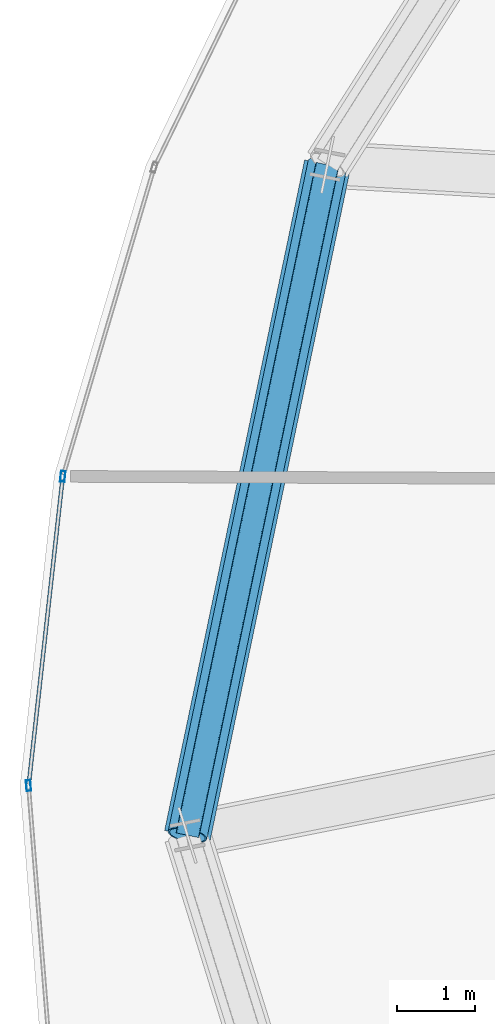
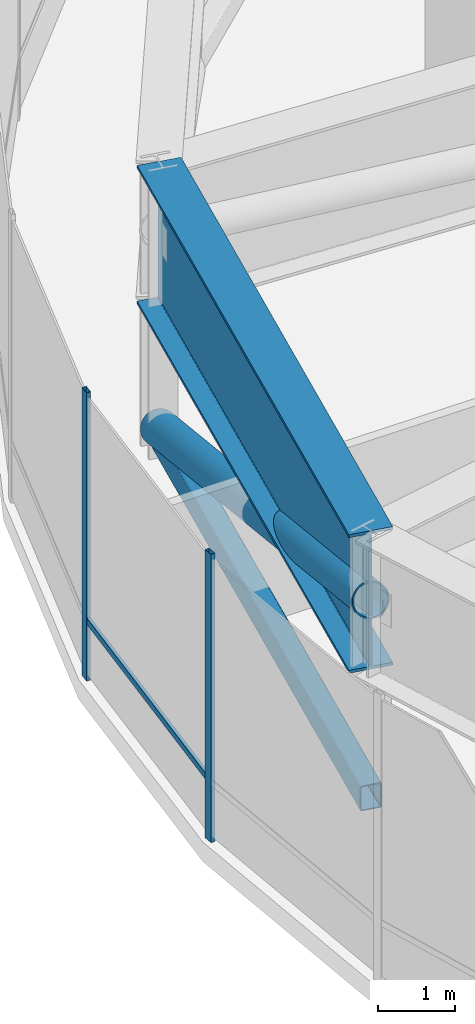
# One storey, part 9 of 30: 5 members, 1 beam, 1 element without a shape of its own.
"""IFC4 building model written with IfcOpenShell, lengths in metres."""

import ifcopenshell
import ifcopenshell.guid

model = None  # the IFC model being written
_history = None  # IfcOwnerHistory: only IFC2X3 demands one
_inside = {}  # id of a spatial element -> (the spatial element, [elements in it])
_under = {}  # id of a project, library or spatial element -> (it, [spatial elements below it])
_declared = {}  # id of a project -> (the project, [libraries it declares])
_typed = {}  # id of a type object -> (the type object, [elements of that type])
_made_of = {}  # id of a material, layer set ... -> (it, [elements and type objects made of it])


def new_model(schema):
    """Start an empty IFC model of exactly this schema.

    Asked for "IFC4X3", IfcOpenShell would pick the latest addendum, in which some entities
    have other attributes; the version numbers below select the first issue.
    IFC2X3 requires an IfcOwnerHistory on every rooted entity: one is made here for all.
    """
    global model, _history
    if schema == "IFC4X3":
        model = ifcopenshell.file(schema_version=(4, 3, 0, 0))
    else:
        model = ifcopenshell.file(schema=schema)
    _inside.clear()
    _under.clear()
    _declared.clear()
    _typed.clear()
    _made_of.clear()
    _history = None
    if model.schema == "IFC2X3":
        org = make("IfcOrganization", Name="unknown")
        user = make(
            "IfcPersonAndOrganization",
            ThePerson=make("IfcPerson", FamilyName="unknown"),
            TheOrganization=org,
        )
        app = make(
            "IfcApplication",
            ApplicationDeveloper=org,
            Version="unknown",
            ApplicationFullName="unknown",
            ApplicationIdentifier="unknown",
        )
        _history = make(
            "IfcOwnerHistory",
            OwningUser=user,
            OwningApplication=app,
            ChangeAction="ADDED",
            CreationDate=0,
        )
    return model


def make(cls, **values):
    """One entity of the class cls with the attributes given. An attribute that is None is left unset."""
    return model.create_entity(
        cls, **{name: value for name, value in values.items() if value is not None}
    )


def rooted(cls, **values):
    """An entity with a GlobalId (a new one), such as an element, a storey or a relation."""
    return make(cls, GlobalId=ifcopenshell.guid.new(), OwnerHistory=_history, **values)


def si_unit(unit_type, name, prefix=None):
    """IfcSIUnit, for example si_unit("LENGTHUNIT", "METRE", prefix="MILLI")."""
    return make("IfcSIUnit", UnitType=unit_type, Prefix=prefix, Name=name)


def assignment(units):
    """IfcUnitAssignment: the units of a project."""
    return None if units is None else make("IfcUnitAssignment", Units=units)


def point(xyz):
    """IfcCartesianPoint."""
    return None if xyz is None else make("IfcCartesianPoint", Coordinates=xyz)


def direction(xyz):
    """IfcDirection."""
    return None if xyz is None else make("IfcDirection", DirectionRatios=xyz)


def frame(location, z_axis=None, x_axis=None):
    """IfcAxis2Placement3D, a coordinate frame: its origin and axes. An axis left out is left unset."""
    return make(
        "IfcAxis2Placement3D",
        Location=point(location),
        Axis=direction(z_axis),
        RefDirection=direction(x_axis),
    )


def frame_2d(location, x_axis=None):
    """IfcAxis2Placement2D, a coordinate frame in the plane: its origin and x axis."""
    return make(
        "IfcAxis2Placement2D", Location=point(location), RefDirection=direction(x_axis)
    )


def origin():
    """The frame at (0, 0, 0) with its axes left unset."""
    return frame((0.0, 0.0, 0.0))


def origin_2d():
    """The frame at (0, 0) in the plane with its x axis left unset."""
    return frame_2d((0.0, 0.0))


def place(relative_to, where):
    """IfcLocalPlacement: puts the frame where relative to a parent placement (None: the world)."""
    return make(
        "IfcLocalPlacement", PlacementRelTo=relative_to, RelativePlacement=where
    )


def context(
    kind, dimensions, precision=None, world=None, true_north=None, identifier=None
):
    """IfcGeometricRepresentationContext, for example the 3D "Model" context."""
    return make(
        "IfcGeometricRepresentationContext",
        ContextIdentifier=identifier,
        ContextType=kind,
        CoordinateSpaceDimension=dimensions,
        Precision=precision,
        WorldCoordinateSystem=world,
        TrueNorth=true_north,
    )


def subcontext(parent, identifier, kind, view, scale=None):
    """IfcGeometricRepresentationSubContext, for example "Body" below "Model"."""
    return make(
        "IfcGeometricRepresentationSubContext",
        ContextIdentifier=identifier,
        ContextType=kind,
        ParentContext=parent,
        TargetScale=scale,
        TargetView=view,
    )


def project(units=None, contexts=None):
    """IfcProject with its units and contexts."""
    return rooted(
        "IfcProject",
        Name="project",
        RepresentationContexts=contexts,
        UnitsInContext=assignment(units),
    )


def spatial(cls, under=None, at=None, **own):
    """A site, building, storey or space (cls), placed at a placement, below another one or the project."""
    s = rooted(cls, ObjectPlacement=at, **own)
    if under is not None:
        _under.setdefault(under.id(), (under, []))[1].append(s)
    return s


def profile(cls, at=None, kind="AREA", **sizes):
    """A parametric profile (cls). Its sizes go by their IFC names, for example OverallWidth=200.0."""
    return make(cls, ProfileType=kind, Position=at, **sizes)


def hollow_rectangle(**sizes):
    """IfcRectangleHollowProfileDef."""
    return profile("IfcRectangleHollowProfileDef", **sizes)


def hollow_circle(**sizes):
    """IfcCircleHollowProfileDef."""
    return profile("IfcCircleHollowProfileDef", **sizes)


def i_section(**sizes):
    """IfcIShapeProfileDef."""
    return profile("IfcIShapeProfileDef", **sizes)


def extrude(swept, where, along, depth):
    """IfcExtrudedAreaSolid: the profile swept, set in the frame where, extruded along a direction by depth."""
    return make(
        "IfcExtrudedAreaSolid",
        SweptArea=swept,
        Position=where,
        ExtrudedDirection=direction(along),
        Depth=depth,
    )


def shape(context_of_items, identifier, shape_type, items):
    """IfcShapeRepresentation: the items that make up one representation, for example the "Body"."""
    return make(
        "IfcShapeRepresentation",
        ContextOfItems=context_of_items,
        RepresentationIdentifier=identifier,
        RepresentationType=shape_type,
        Items=items,
    )


def source(mapping_origin, context_of_items, identifier, shape_type, items):
    """IfcRepresentationMap: a shape defined once, which mapped items show again and again."""
    return make(
        "IfcRepresentationMap",
        MappingOrigin=mapping_origin,
        MappedRepresentation=shape(context_of_items, identifier, shape_type, items),
    )


def transform(
    local_origin,
    x_axis=None,
    y_axis=None,
    z_axis=None,
    scale=None,
    scale2=None,
    scale3=None,
    uniform=True,
):
    """IfcCartesianTransformationOperator3D, or its non-uniform kind. x_axis, y_axis, z_axis: its Axis1, 2, 3."""
    if uniform:
        return make(
            "IfcCartesianTransformationOperator3D",
            Axis1=direction(x_axis),
            Axis2=direction(y_axis),
            LocalOrigin=point(local_origin),
            Scale=scale,
            Axis3=direction(z_axis),
        )
    return make(
        "IfcCartesianTransformationOperator3DnonUniform",
        Axis1=direction(x_axis),
        Axis2=direction(y_axis),
        LocalOrigin=point(local_origin),
        Scale=scale,
        Axis3=direction(z_axis),
        Scale2=scale2,
        Scale3=scale3,
    )


def mapped(mapping_source, mapping_target):
    """IfcMappedItem: shows the shape of a source again, moved by a transform."""
    return make(
        "IfcMappedItem", MappingSource=mapping_source, MappingTarget=mapping_target
    )


def material(Name=None, Category=None):
    """IfcMaterial."""
    return make("IfcMaterial", Name=Name, Category=Category)


def layer(
    of_material, thickness, ventilated=None, Name=None, Category=None, Priority=None
):
    """IfcMaterialLayer: one layer of a wall or slab, of a material (None: an air gap)."""
    return make(
        "IfcMaterialLayer",
        Material=of_material,
        LayerThickness=thickness,
        IsVentilated=ventilated,
        Name=Name,
        Category=Category,
        Priority=Priority,
    )


def layer_set(layers, Name=None):
    """IfcMaterialLayerSet."""
    return make("IfcMaterialLayerSet", MaterialLayers=layers, LayerSetName=Name)


def material_profile(
    of_material, cross_section, Name=None, Category=None, Priority=None
):
    """IfcMaterialProfile: a cross section and its material."""
    return make(
        "IfcMaterialProfile",
        Name=Name,
        Material=of_material,
        Profile=cross_section,
        Priority=Priority,
        Category=Category,
    )


def profile_set(profiles, Name=None, composite=None):
    """IfcMaterialProfileSet."""
    return make(
        "IfcMaterialProfileSet",
        Name=Name,
        MaterialProfiles=profiles,
        CompositeProfile=composite,
    )


def made_of(thing, what):
    """Note that an element or type object is made of a material, layer set ...; save() writes the relation."""
    if what is not None:
        _made_of.setdefault(what.id(), (what, []))[1].append(thing)
    return thing


def type_object(cls, material=None, **own):
    """A type object (cls), such as IfcWallType, which elements share."""
    return made_of(rooted(cls, **own), material)


def element(
    cls,
    number,
    at=None,
    inside=None,
    cuts=None,
    type_object=None,
    material=None,
    context=None,
    identifier="Body",
    shape_type=None,
    held_by="IfcProductDefinitionShape",
    body=None,
    shapes=None,
    **own,
):
    """One element of the class cls, such as IfcWall. Its Tag is "e" and its number.

    at: its placement. inside: the storey or other place that contains it. cuts: it is an
    opening in that element (IfcRelVoidsElement). A single representation is given by context,
    identifier, shape_type and body (its items); several are given by shapes. held_by: the class
    of the entity that holds the representations. save() writes the other relations.
    """
    e = rooted(cls, Tag="e%d" % number, ObjectPlacement=at, **own)
    if body is not None:
        shapes = [shape(context, identifier, shape_type, body)]
    if shapes is not None:
        e.Representation = make(held_by, Representations=shapes)
    if inside is not None:
        _inside.setdefault(inside.id(), (inside, []))[1].append(e)
    if cuts is not None:
        rooted(
            "IfcRelVoidsElement", RelatingBuildingElement=cuts, RelatedOpeningElement=e
        )
    if type_object is not None:
        _typed.setdefault(type_object.id(), (type_object, []))[1].append(e)
    return made_of(e, material)


def aggregate(whole, parts):
    """IfcRelAggregates: a whole, such as a stair, and the parts it consists of."""
    return rooted("IfcRelAggregates", RelatingObject=whole, RelatedObjects=parts)


def save(model, path):
    """Write the relations noted so far, then the file.

    IfcRelAggregates (storeys below a building ...), IfcRelContainedInSpatialStructure (elements
    in a storey), IfcRelDefinesByType, IfcRelAssociatesMaterial and IfcRelDeclares: one each for
    every whole, place, type object, material and project.
    """
    for whole, parts in _under.values():
        aggregate(whole, parts)
    for where, things in _inside.values():
        rooted(
            "IfcRelContainedInSpatialStructure",
            RelatedElements=things,
            RelatingStructure=where,
        )
    for kind, things in _typed.values():
        rooted("IfcRelDefinesByType", RelatedObjects=things, RelatingType=kind)
    for what, things in _made_of.values():
        rooted("IfcRelAssociatesMaterial", RelatedObjects=things, RelatingMaterial=what)
    for by, libraries in _declared.values():
        rooted("IfcRelDeclares", RelatingContext=by, RelatedDefinitions=libraries)
    model.write(path)


model = new_model("IFC4")

# Units and contexts
model_context = context("Model", 3, precision=1e-05, world=origin(), true_north=direction((0.0, 1.0)))
body_context = subcontext(model_context, "Body", "Model", "MODEL_VIEW")
ifc_project = project(units=[si_unit("LENGTHUNIT", "METRE"), si_unit("AREAUNIT", "SQUARE_METRE"), si_unit("VOLUMEUNIT", "CUBIC_METRE"), si_unit("PLANEANGLEUNIT", "RADIAN"), si_unit("MASSUNIT", "GRAM", prefix="KILO"), si_unit("THERMODYNAMICTEMPERATUREUNIT", "KELVIN")], contexts=[model_context])

# Site, building, storey
site_placement = place(None, origin())
site = spatial("IfcSite", under=ifc_project, at=site_placement, CompositionType="ELEMENT")
building_placement = place(site_placement, origin())
building = spatial("IfcBuilding", under=site, at=building_placement, Name="Kethvar Cultural Tower", CompositionType="ELEMENT")
storey_placement = place(building_placement, frame((0.0, 0.0, 171.39990234375)))
storey = spatial("IfcBuildingStorey", under=building, at=storey_placement, Name="L44", CompositionType="ELEMENT", Elevation=171.39990234375)

# Beam
ifc_material_1 = material(Name="Steel S460M", Category="steel")
ifc_material_profile_1 = material_profile(ifc_material_1, i_section(OverallWidth=0.60009765625, OverallDepth=2.199951171875, WebThickness=0.028076171875, FlangeThickness=0.044921875, FilletRadius=0.02197265625, at=origin_2d()), Name="Steel S460M — PG2200x600x45x28")
ifc_profile_set_1 = profile_set([ifc_material_profile_1], Name="Steel S460M — PG2200x600x45x28")
beam_type = type_object("IfcBeamType", Name="BM-TR2200", PredefinedType="BEAM", material=ifc_profile_set_1)
shared_shape_1 = source(origin(), body_context, "Body", "SweptSolid", [
    extrude(i_section(OverallWidth=0.60009765625, OverallDepth=2.199951171875, WebThickness=0.028076171875, FlangeThickness=0.044921875, FilletRadius=0.02197265625, at=origin_2d()), origin(), (0.0, 0.0, 1.0), 8.82421875),
])
beam_placement = place(storey_placement, frame((25.988525390625, 31.939697265625, 3.47802734375), z_axis=(-0.204350879122, -0.978897705688, 0.0), x_axis=(0.978897705688, -0.204350879122, 0.0)))
element("IfcBeam", 1, at=beam_placement, inside=storey, type_object=beam_type, Name="L44 Ring Belt Girder BG-08", PredefinedType="BEAM", context=body_context, shape_type="MappedRepresentation", body=[
    mapped(shared_shape_1, transform((0.0, 0.0, 0.0), scale=1.0)),
])

# Members
ifc_material_profile_2 = material_profile(ifc_material_1, hollow_rectangle(XDim=0.300048828125, YDim=0.39990234375, WallThickness=0.01611328125, InnerFilletRadius=0.01611328125, OuterFilletRadius=0.031982421875, at=origin_2d()), Name="Steel S460M — RHS400x300x16")
ifc_profile_set_2 = profile_set([ifc_material_profile_2], Name="Steel S460M — RHS400x300x16")
member_type_1 = type_object("IfcMemberType", Name="MB-CHD-400", PredefinedType="CHORD", material=ifc_profile_set_2)
shared_shape_2 = source(origin(), body_context, "Body", "SweptSolid", [
    extrude(hollow_rectangle(XDim=0.300048828125, YDim=0.39990234375, WallThickness=0.01611328125, InnerFilletRadius=0.01611328125, OuterFilletRadius=0.031982421875, at=origin_2d()), origin(), (0.0, 0.0, 1.0), 8.82421875),
])
member_1_placement = place(storey_placement, frame((25.988525390625, 31.939697265625, 0.35009765625), z_axis=(-0.204350879122, -0.978897705688, 0.0), x_axis=(0.978897705688, -0.204350879122, 0.0)))
element("IfcMember", 2, at=member_1_placement, inside=storey, type_object=member_type_1, Name="L44 Ring Belt Bottom Chord BC-08", PredefinedType="CHORD", context=body_context, shape_type="MappedRepresentation", body=[
    mapped(shared_shape_2, transform((0.0, 0.0, 0.0), scale=1.0)),
])
ifc_material_profile_3 = material_profile(ifc_material_1, hollow_circle(Radius=0.25390625, WallThickness=0.02001953125, at=origin_2d()), Name="Steel S460M — CHS508x20")
ifc_profile_set_3 = profile_set([ifc_material_profile_3], Name="Steel S460M — CHS508x20")
member_type_2 = type_object("IfcMemberType", Name="MB-OUT-508", PredefinedType="BRACE", material=ifc_profile_set_3)
shared_shape_3 = source(origin(), body_context, "Body", "SweptSolid", [
    extrude(hollow_circle(Radius=0.25390625, WallThickness=0.02001953125, at=origin_2d()), origin(), (0.0, 0.0, 1.0), 9.362060546875),
])
member_2_placement = place(storey_placement, frame((25.988525390625, 31.939697265625, 0.35009765625), z_axis=(-0.192608079051, -0.922646418208, 0.334104347251), x_axis=(0.978897705688, -0.204350879122, 0.0)))
element("IfcMember", 3, at=member_2_placement, inside=storey, type_object=member_type_2, Name="L44 Ring Belt Diagonal BD-08", PredefinedType="BRACE", context=body_context, shape_type="MappedRepresentation", body=[
    mapped(shared_shape_3, transform((0.0, 0.0, 0.0), scale=1.0)),
])

# Curtain wall, members
ifc_material_2 = material(Name="Aluminium 6063-T6", Category="aluminium")
ifc_layer = layer(ifc_material_2, 0.179931640625, Name="Aluminium 6063-T6", Category="aluminium")
ifc_layer_set = layer_set([ifc_layer], Name="Aluminium 6063-T6 (180 mm)")
curtain_wall_type = type_object("IfcCurtainWallType", Name="CW-SYS-04-Z34", PredefinedType="NOTDEFINED", material=ifc_layer_set)
curtain_wall_placement = place(storey_placement, origin())
curtain_wall = element("IfcCurtainWall", 4, at=curtain_wall_placement, inside=storey, type_object=curtain_wall_type, Name="L44 Curtain Wall Run 03", PredefinedType="NOTDEFINED")
ifc_material_profile_4 = material_profile(ifc_material_2, hollow_rectangle(XDim=0.06005859375, YDim=0.139892578125, WallThickness=0.0048828125, at=origin_2d()), Name="Aluminium 6063-T6 — RHS140x60x5")
ifc_profile_set_4 = profile_set([ifc_material_profile_4], Name="Aluminium 6063-T6 — RHS140x60x5")
member_type_3 = type_object("IfcMemberType", Name="CW-SYS-04-Z34-MUL", PredefinedType="MULLION", material=ifc_profile_set_4)
shared_shape_4 = source(origin(), body_context, "Body", "SweptSolid", [
    extrude(hollow_rectangle(XDim=0.06005859375, YDim=0.139892578125, WallThickness=0.0048828125, at=origin_2d()), origin(), (0.0, 0.0, 1.0), 4.580078125),
])
member_3_placement = place(storey_placement, frame((22.57958984375, 27.925048828125, 0.0), z_axis=(0.0, 0.0, 1.0), x_axis=(0.9939571244, -0.109769006807, 0.0)))
member_3 = element("IfcMember", 5, at=member_3_placement, type_object=member_type_3, Name="CW-L44-R03 Mullion 3", PredefinedType="MULLION", context=body_context, shape_type="MappedRepresentation", body=[
    mapped(shared_shape_4, transform((0.0, 0.0, 0.0), scale=1.0)),
])
member_4_placement = place(storey_placement, frame((22.137939453125, 23.942138671875, 0.0), z_axis=(0.0, 0.0, 1.0), x_axis=(0.996823514521, 0.079642205503, 0.0)))
member_4 = element("IfcMember", 6, at=member_4_placement, type_object=member_type_3, Name="CW-L44-R03 Mullion 4", PredefinedType="MULLION", context=body_context, shape_type="MappedRepresentation", body=[
    mapped(shared_shape_4, transform((0.0, 0.0, 0.0), scale=1.0)),
])
ifc_material_profile_5 = material_profile(ifc_material_2, hollow_rectangle(XDim=0.050048828125, YDim=0.10009765625, WallThickness=0.00390625, at=origin_2d()), Name="Aluminium 6063-T6 — RHS100x50x4")
ifc_profile_set_5 = profile_set([ifc_material_profile_5], Name="Aluminium 6063-T6 — RHS100x50x4")
member_type_4 = type_object("IfcMemberType", Name="CW-SYS-04-Z34-TRN", PredefinedType="USERDEFINED", material=ifc_profile_set_5)
shared_shape_5 = source(origin(), body_context, "Body", "SweptSolid", [
    extrude(hollow_rectangle(XDim=0.050048828125, YDim=0.10009765625, WallThickness=0.00390625, at=origin_2d()), origin(), (0.0, 0.0, 1.0), 3.94189453125),
])
member_5_placement = place(storey_placement, frame((22.574951171875, 27.882080078125, 0.9501953125), z_axis=(-0.109751707966, -0.993959034668, 0.0), x_axis=(0.993959034668, -0.109751707966, 0.0)))
member_5 = element("IfcMember", 7, at=member_5_placement, type_object=member_type_4, Name="CW-L44-R03 Transom 3", ObjectType="TRANSOM", PredefinedType="USERDEFINED", context=body_context, shape_type="MappedRepresentation", body=[
    mapped(shared_shape_5, transform((0.0, 0.0, 0.0), scale=1.0)),
])
aggregate(curtain_wall, [member_3, member_4, member_5])

save(model, "model.ifc")
